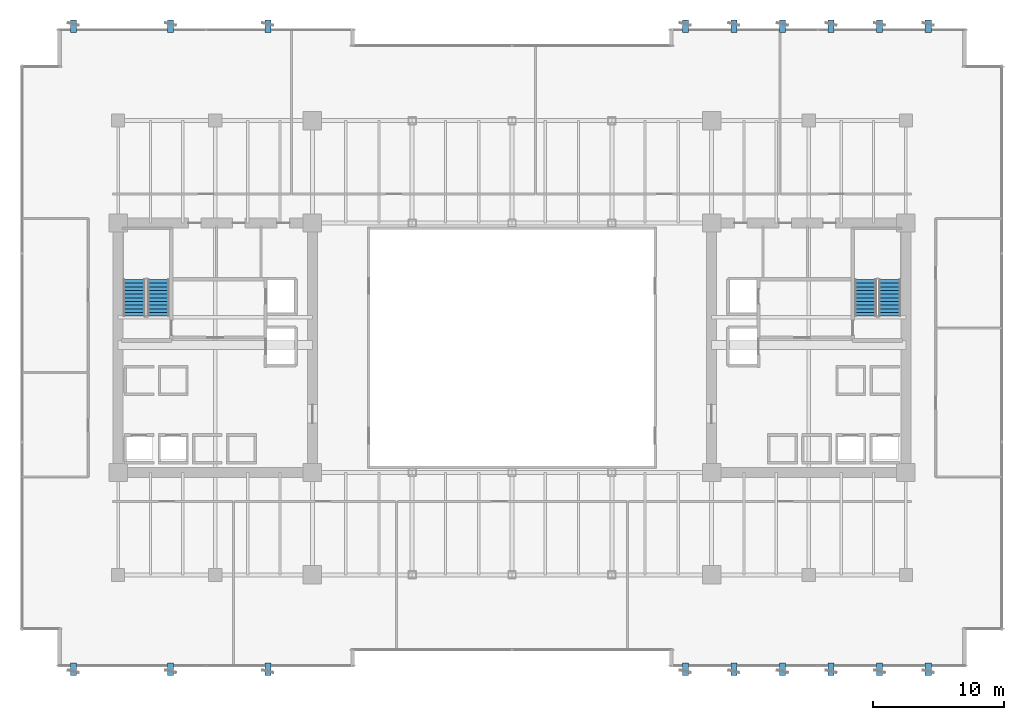
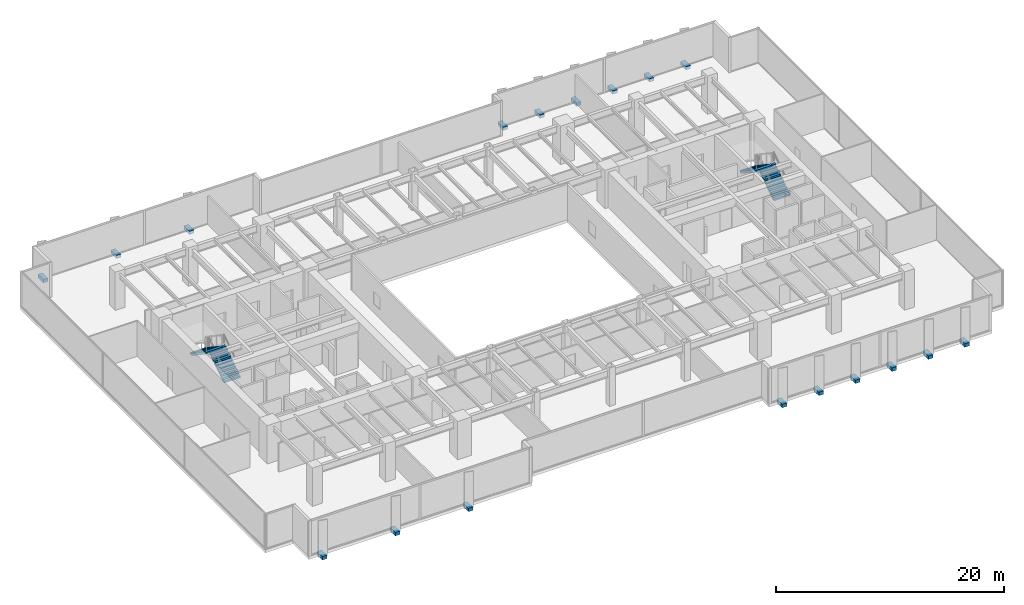
# One storey, part 33 of 36: 18 discrete accessories, 4 stair flights, 2 elements without a shape of their own.
"""IFC4 building model written with IfcOpenShell, lengths in metres."""

from ifc_helpers import new_model, si_unit, direction, frame, origin, origin_2d, place, context, subcontext, project, spatial, polyline, rectangle, outline, extrude, source, transform, mapped, material, type_object, type_shapes, element, aggregate, save


model = new_model("IFC4")

# Units and contexts
model_context = context("Model", 3, precision=1e-05, world=origin(), true_north=direction((0.0, 1.0)))
body_context = subcontext(model_context, "Body", "Model", "MODEL_VIEW")
ifc_project = project(units=[si_unit("LENGTHUNIT", "METRE"), si_unit("AREAUNIT", "SQUARE_METRE"), si_unit("VOLUMEUNIT", "CUBIC_METRE"), si_unit("PLANEANGLEUNIT", "RADIAN"), si_unit("MASSUNIT", "GRAM", prefix="KILO")], contexts=[model_context])

# Site, building, storey
site_placement = place(None, origin())
site = spatial("IfcSite", under=ifc_project, at=site_placement, CompositionType="ELEMENT")
building_placement = place(site_placement, origin())
building = spatial("IfcBuilding", under=site, at=building_placement, Name="Haelvirn Gate Laboratories", CompositionType="ELEMENT")
storey_placement = place(building_placement, frame((0.0, 0.0, 29.300048828125)))
storey = spatial("IfcBuildingStorey", under=building, at=storey_placement, Name="L07", CompositionType="ELEMENT", Elevation=29.300048828125)

# Stair, stair flights
ifc_material_1 = material(Name="Concrete C40/50", Category="concrete")
stair_type = type_object("IfcStairType", Name="ST-DOG-1650-R22", PredefinedType="HALF_TURN_STAIR", material=ifc_material_1)
stair_1_placement = place(storey_placement, origin())
stair_1 = element("IfcStair", 1, at=stair_1_placement, inside=storey, type_object=stair_type, Name="L07 Escape Stair ST1", PredefinedType="HALF_TURN_STAIR")
stair_flight_type = type_object("IfcStairFlightType", Name="STF-1650-R11", PredefinedType="STRAIGHT", material=ifc_material_1)
shared_shape_1 = source(origin(), body_context, "Body", "SweptSolid", [
    extrude(outline(polyline([(0.0, 0.0), (0.0, 0.186279296875), (0.280029296875, 0.186279296875), (0.280029296875, 0.372802734375), (0.56005859375, 0.372802734375), (0.56005859375, 0.55908203125), (0.840087890625, 0.55908203125), (0.840087890625, 0.745361328125), (1.1201171875, 0.745361328125), (1.1201171875, 0.931884765625), (1.39990234375, 0.931884765625), (1.39990234375, 1.1181640625), (1.679931640625, 1.1181640625), (1.679931640625, 1.304443359375), (1.9599609375, 1.304443359375), (1.9599609375, 1.490966796875), (2.239990234375, 1.490966796875), (2.239990234375, 1.67724609375), (2.52001953125, 1.67724609375), (2.52001953125, 1.863525390625), (2.800048828125, 1.863525390625), (2.800048828125, 2.050048828125), (2.800048828125, 1.671630859375), (0.28857421875, 0.0), (0.0, 0.0)])), frame((0.0, 0.824951171875, 0.0), z_axis=(0.0, -1.0, 0.0), x_axis=(1.0, 0.0, 0.0)), (0.0, 0.0, 1.0), 1.64990234375),
])
type_shapes(stair_flight_type, [shared_shape_1])
stair_flight_1_placement = place(storey_placement, frame((10.47509765625, 26.699951171875, 0.0), z_axis=(0.0, 0.0, 1.0), x_axis=(0.0, 1.0, 0.0)))
stair_flight_1 = element("IfcStairFlight", 2, at=stair_flight_1_placement, type_object=stair_flight_type, Name="ST1 flight 1", NumberOfRisers=11, NumberOfTreads=10, PredefinedType="STRAIGHT", RiserHeight=0.186363636, TreadLength=0.28, context=body_context, shape_type="MappedRepresentation", body=[
    mapped(shared_shape_1, transform((0.0, 0.0, 0.0), scale=1.0)),
])
stair_flight_2_placement = place(storey_placement, frame((8.625, 29.5, 2.050048828125), z_axis=(0.0, 0.0, 1.0), x_axis=(0.0, -1.0, 0.0)))
stair_flight_2 = element("IfcStairFlight", 3, at=stair_flight_2_placement, type_object=stair_flight_type, Name="ST1 flight 2", NumberOfRisers=11, NumberOfTreads=10, PredefinedType="STRAIGHT", RiserHeight=0.186363636, TreadLength=0.28, context=body_context, shape_type="MappedRepresentation", body=[
    mapped(shared_shape_1, transform((0.0, 0.0, 0.0), scale=1.0)),
])
aggregate(stair_1, [stair_flight_1, stair_flight_2])

stair_2_placement = place(storey_placement, origin())
stair_2 = element("IfcStair", 4, at=stair_2_placement, inside=storey, type_object=stair_type, Name="L07 Escape Stair ST2", PredefinedType="HALF_TURN_STAIR")
stair_flight_3_placement = place(storey_placement, frame((66.175048828125, 26.699951171875, 0.0), z_axis=(0.0, 0.0, 1.0), x_axis=(0.0, 1.0, 0.0)))
stair_flight_3 = element("IfcStairFlight", 5, at=stair_flight_3_placement, type_object=stair_flight_type, Name="ST2 flight 1", NumberOfRisers=11, NumberOfTreads=10, PredefinedType="STRAIGHT", RiserHeight=0.186363636, TreadLength=0.28, context=body_context, shape_type="MappedRepresentation", body=[
    mapped(shared_shape_1, transform((0.0, 0.0, 0.0), scale=1.0)),
])
stair_flight_4_placement = place(storey_placement, frame((64.324951171875, 29.5, 2.050048828125), z_axis=(0.0, 0.0, 1.0), x_axis=(0.0, -1.0, 0.0)))
stair_flight_4 = element("IfcStairFlight", 6, at=stair_flight_4_placement, type_object=stair_flight_type, Name="ST2 flight 2", NumberOfRisers=11, NumberOfTreads=10, PredefinedType="STRAIGHT", RiserHeight=0.186363636, TreadLength=0.28, context=body_context, shape_type="MappedRepresentation", body=[
    mapped(shared_shape_1, transform((0.0, 0.0, 0.0), scale=1.0)),
])
aggregate(stair_2, [stair_flight_3, stair_flight_4])

# Discrete accessories
ifc_material_2 = material(Name="Steel SM355 & duplex stainless anchorage", Category="steel")
discrete_accessory_type = type_object("IfcDiscreteAccessoryType", Name="ACC-BRK-FIN", PredefinedType="BRACKET", material=ifc_material_2)
shared_shape_2 = source(origin(), body_context, "Body", "SweptSolid", [
    extrude(rectangle(XDim=0.4599609375, YDim=0.9599609375, at=origin_2d()), origin(), (0.0, 0.0, 1.0), 0.360107421875),
])
type_shapes(discrete_accessory_type, [shared_shape_2])
for number, where, z_axis, x_axis, name in (
    (7, (4.0, -0.179931640625, -0.3203125), (0.0, 0.0, 1.0), (1.0, 0.0, 0.0), "L07 Stainless Fin Outrigger Bracket S01"),
    (8, (4.0, 48.780029296875, -0.3203125), (0.0, 0.0, 1.0), (1.0, 0.0, 0.0), "L07 Stainless Fin Outrigger Bracket N01"),
    (9, (11.39990234375, -0.179931640625, -0.3203125), (0.0, 0.0, 1.0), (1.0, 0.0, 0.0), "L07 Stainless Fin Outrigger Bracket S02"),
    (10, (11.39990234375, 48.780029296875, -0.3203125), (0.0, 0.0, 1.0), (1.0, 0.0, 0.0), "L07 Stainless Fin Outrigger Bracket N02"),
    (11, (18.800048828125, -0.179931640625, -0.3203125), (0.0, 0.0, 1.0), (1.0, 0.0, 0.0), "L07 Stainless Fin Outrigger Bracket S03"),
    (12, (18.800048828125, 48.780029296875, -0.3203125), (0.0, 0.0, 1.0), (1.0, 0.0, 0.0), "L07 Stainless Fin Outrigger Bracket N03"),
    (13, (50.60009765625, -0.179931640625, -0.3203125), (0.0, 0.0, 1.0), (1.0, 0.0, 0.0), "L07 Stainless Fin Outrigger Bracket S04"),
    (14, (50.60009765625, 48.780029296875, -0.3203125), (0.0, 0.0, 1.0), (1.0, 0.0, 0.0), "L07 Stainless Fin Outrigger Bracket N04"),
    (15, (54.300048828125, -0.179931640625, -0.3203125), (0.0, 0.0, 1.0), (1.0, 0.0, 0.0), "L07 Stainless Fin Outrigger Bracket S05"),
    (16, (54.300048828125, 48.780029296875, -0.3203125), (0.0, 0.0, 1.0), (1.0, 0.0, 0.0), "L07 Stainless Fin Outrigger Bracket N05"),
    (17, (58.0, -0.179931640625, -0.3203125), (0.0, 0.0, 1.0), (1.0, 0.0, 0.0), "L07 Stainless Fin Outrigger Bracket S06"),
    (18, (58.0, 48.780029296875, -0.3203125), (0.0, 0.0, 1.0), (1.0, 0.0, 0.0), "L07 Stainless Fin Outrigger Bracket N06"),
    (19, (61.699951171875, -0.179931640625, -0.3203125), (0.0, 0.0, 1.0), (1.0, 0.0, 0.0), "L07 Stainless Fin Outrigger Bracket S07"),
    (20, (61.699951171875, 48.780029296875, -0.3203125), (0.0, 0.0, 1.0), (1.0, 0.0, 0.0), "L07 Stainless Fin Outrigger Bracket N07"),
    (21, (65.39990234375, -0.179931640625, -0.3203125), (0.0, 0.0, 1.0), (1.0, 0.0, 0.0), "L07 Stainless Fin Outrigger Bracket S08"),
    (22, (65.39990234375, 48.780029296875, -0.3203125), (0.0, 0.0, 1.0), (1.0, 0.0, 0.0), "L07 Stainless Fin Outrigger Bracket N08"),
    (23, (69.10009765625, -0.179931640625, -0.3203125), (0.0, 0.0, 1.0), (1.0, 0.0, 0.0), "L07 Stainless Fin Outrigger Bracket S09"),
    (24, (69.10009765625, 48.780029296875, -0.3203125), (0.0, 0.0, 1.0), (1.0, 0.0, 0.0), "L07 Stainless Fin Outrigger Bracket N09"),
):
    element("IfcDiscreteAccessory", number, at=place(storey_placement, frame(where, z_axis=z_axis, x_axis=x_axis)), inside=storey, type_object=discrete_accessory_type, Name=name, PredefinedType="BRACKET", context=body_context, shape_type="MappedRepresentation", body=[
        mapped(shared_shape_2, transform((0.0, 0.0, 0.0), scale=1.0)),
    ])

save(model, "model.ifc")
